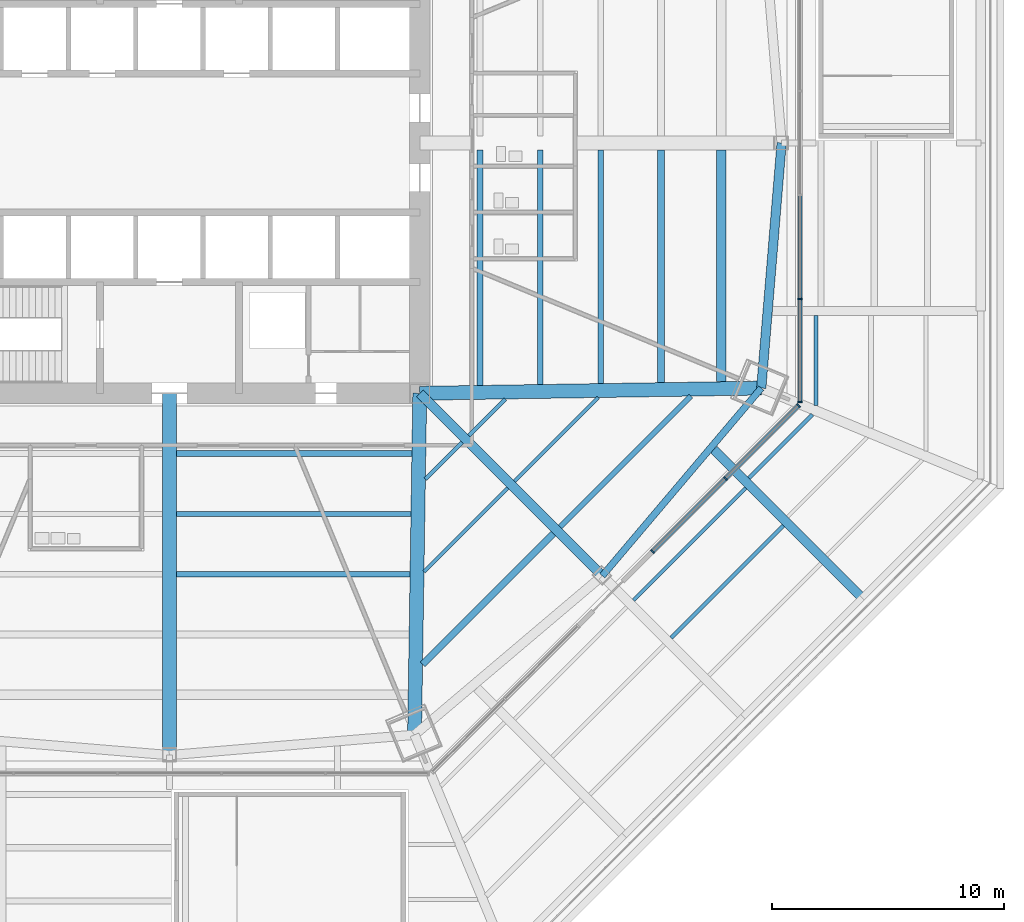
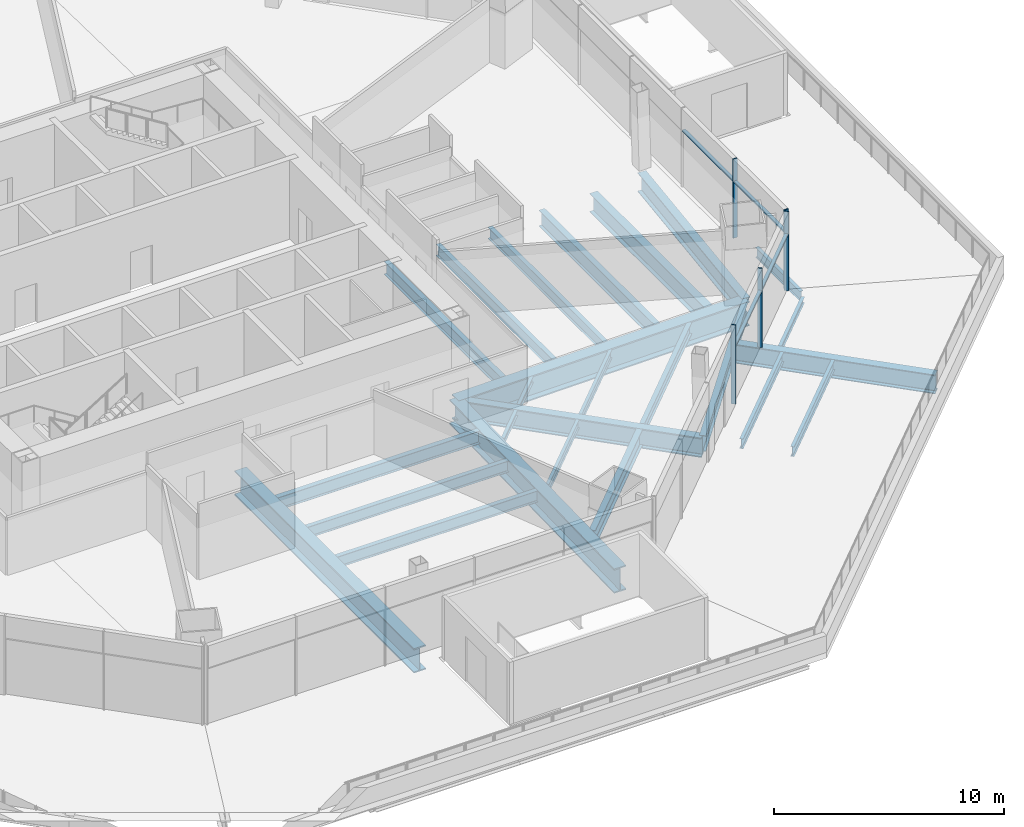
# One storey, part 6 of 25: 25 beams, 9 members, 2 elements without a shape of their own.
"""IFC4 building model written with IfcOpenShell, lengths in metres."""

from ifc_helpers import new_model, si_unit, direction, frame, origin, origin_2d, place, context, subcontext, project, spatial, rectangle, i_section, extrude, source, transform, mapped, material, material_profile, profile_set, type_object, type_shapes, element, aggregate, save


model = new_model("IFC4")

# Units and contexts
model_context = context("Model", 3, precision=1e-05, world=origin(), true_north=direction((0.0, 1.0)))
body_context = subcontext(model_context, "Body", "Model", "MODEL_VIEW")
ifc_project = project(units=[si_unit("LENGTHUNIT", "METRE"), si_unit("AREAUNIT", "SQUARE_METRE"), si_unit("VOLUMEUNIT", "CUBIC_METRE"), si_unit("PLANEANGLEUNIT", "RADIAN"), si_unit("MASSUNIT", "GRAM", prefix="KILO")], contexts=[model_context])

# Site, building, storey
site_placement = place(None, origin())
site = spatial("IfcSite", under=ifc_project, at=site_placement, CompositionType="ELEMENT")
building_placement = place(site_placement, origin())
building = spatial("IfcBuilding", under=site, at=building_placement, Name="Mashrafa Tower", CompositionType="ELEMENT")
storey_placement = place(building_placement, frame((0.0, 0.0, 28.800048828125)))
storey = spatial("IfcBuildingStorey", under=building, at=storey_placement, Name="L05", CompositionType="ELEMENT", Elevation=28.800048828125)

# Beams
ifc_material_1 = material(Name="Steel ASTM A572 Gr 50", Category="steel")
ifc_material_profile_1 = material_profile(ifc_material_1, i_section(OverallWidth=0.60009765625, OverallDepth=1.300048828125, WebThickness=0.028076171875, FlangeThickness=0.06494140625, at=origin_2d()), Name="H1300X600X28X65")
ifc_profile_set_1 = profile_set([ifc_material_profile_1], Name="Steel ASTM A572 Gr 50")
beam_type_1 = type_object("IfcBeamType", Name="Beam H1300X600X28X65", PredefinedType="BEAM", material=ifc_profile_set_1)
beam_1_placement = place(storey_placement, frame((0.0, -10.800048828125, -0.949951171875), z_axis=(0.0, -1.0, 0.0), x_axis=(1.0, 0.0, 0.0)))
element("IfcBeam", 1, at=beam_1_placement, inside=storey, type_object=beam_type_1, Name="Radial girder L05 240", PredefinedType="BEAM", context=body_context, shape_type="SweptSolid", body=[
    extrude(i_section(OverallWidth=0.60009765625, OverallDepth=1.300048828125, WebThickness=0.028076171875, FlangeThickness=0.06494140625, at=origin_2d()), origin(), (0.0, 0.0, 1.0), 15.6083984375),
])
for number, where, z_axis, x_axis, name in (
    (2, (10.800048828125, -10.800048828125, -0.949951171875), (-0.015279561885, -0.99988326068, 0.0), (0.99988326068, -0.015279561885, 0.0), "Radial girder L05 242"),
    (3, (10.800048828125, -10.800048828125, -0.949951171875), (0.99988326068, 0.015279561885, 0.0), (-0.015279561885, 0.99988326068, 0.0), "Radial girder L05 244"),
):
    element("IfcBeam", number, at=place(storey_placement, frame(where, z_axis=z_axis, x_axis=x_axis)), inside=storey, type_object=beam_type_1, Name=name, PredefinedType="BEAM", context=body_context, shape_type="SweptSolid", body=[
        extrude(i_section(OverallWidth=0.60009765625, OverallDepth=1.300048828125, WebThickness=0.028076171875, FlangeThickness=0.06494140625, at=origin_2d()), origin(), (0.0, 0.0, 1.0), 14.73193359375),
    ])
ifc_material_2 = material(Name="Steel ASTM A992", Category="steel")
ifc_material_profile_2 = material_profile(ifc_material_2, i_section(OverallWidth=0.164794921875, OverallDepth=0.309814453125, WebThickness=0.005859375, FlangeThickness=0.009765625, FilletRadius=0.007568359375, at=origin_2d()), Name="W12X26")
ifc_profile_set_2 = profile_set([ifc_material_profile_2], Name="Steel ASTM A992")
beam_type_2 = type_object("IfcBeamType", Name="Beam W12X26", PredefinedType="BEAM", material=ifc_profile_set_2)
for number, where, z_axis, x_axis, name in (
    (4, (12.623779296875, -12.9130859375, -0.455078125), (-0.707106781187, -0.707106781187, 0.0), (0.707106781187, -0.707106781187, 0.0), "Floor beam L05 095"),
    (5, (14.4931640625, -11.043701171875, -0.455078125), (-0.707106781187, -0.707106781187, 0.0), (0.707106781187, -0.707106781187, 0.0), "Floor beam L05 105"),
):
    element("IfcBeam", number, at=place(storey_placement, frame(where, z_axis=z_axis, x_axis=x_axis)), inside=storey, type_object=beam_type_2, Name=name, PredefinedType="BEAM", context=body_context, shape_type="SweptSolid", body=[
        extrude(i_section(OverallWidth=0.164794921875, OverallDepth=0.309814453125, WebThickness=0.005859375, FlangeThickness=0.009765625, FilletRadius=0.007568359375, at=origin_2d()), origin(), (0.0, 0.0, 1.0), 2.234619140625),
    ])
beam_2_placement = place(storey_placement, frame((27.7353515625, -11.718017578125, -0.455078125), z_axis=(-0.707138270433, -0.707075290537, 0.0), x_axis=(0.707075290537, -0.707138270433, 0.0)))
element("IfcBeam", 6, at=beam_2_placement, inside=storey, type_object=beam_type_2, Name="Floor beam L05 132", PredefinedType="BEAM", context=body_context, shape_type="SweptSolid", body=[
    extrude(i_section(OverallWidth=0.164794921875, OverallDepth=0.309814453125, WebThickness=0.005859375, FlangeThickness=0.009765625, FilletRadius=0.007568359375, at=origin_2d()), origin(), (0.0, 0.0, 1.0), 3.87646484375),
])
ifc_material_3 = material(Name="Steel ASTM A992", Category="steel")
ifc_material_profile_3 = material_profile(ifc_material_3, i_section(OverallWidth=0.15234375, OverallDepth=0.449462890625, WebThickness=0.007568359375, FlangeThickness=0.0107421875, FilletRadius=0.01025390625, at=origin_2d()), Name="W18X35")
ifc_profile_set_3 = profile_set([ifc_material_profile_3], Name="Steel ASTM A992")
beam_type_3 = type_object("IfcBeamType", Name="Beam W18X35", PredefinedType="BEAM", material=ifc_profile_set_3)
for number, where, z_axis, x_axis, name in (
    (7, (14.59228515625, -14.88134765625, -0.52490234375), (-0.707106781187, -0.707106781187, 0.0), (0.707106781187, -0.707106781187, 0.0), "Floor beam L05 102"),
    (8, (18.490966796875, -10.982666015625, -0.52490234375), (-0.707106781187, -0.707106781187, 0.0), (0.707106781187, -0.707106781187, 0.0), "Floor beam L05 116"),
):
    element("IfcBeam", number, at=place(storey_placement, frame(where, z_axis=z_axis, x_axis=x_axis)), inside=storey, type_object=beam_type_3, Name=name, PredefinedType="BEAM", context=body_context, shape_type="SweptSolid", body=[
        extrude(i_section(OverallWidth=0.15234375, OverallDepth=0.449462890625, WebThickness=0.007568359375, FlangeThickness=0.0107421875, FilletRadius=0.01025390625, at=origin_2d()), origin(), (0.0, 0.0, 1.0), 5.104736328125),
    ])
ifc_material_4 = material(Name="Steel ASTM A992", Category="steel")
ifc_material_profile_4 = material_profile(ifc_material_4, i_section(OverallWidth=0.165771484375, OverallDepth=0.5283203125, WebThickness=0.009765625, FlangeThickness=0.013671875, FilletRadius=0.012939453125, at=origin_2d()), Name="W21X50")
ifc_profile_set_4 = profile_set([ifc_material_profile_4], Name="Steel ASTM A992")
beam_type_4 = type_object("IfcBeamType", Name="Beam W21X50", PredefinedType="BEAM", material=ifc_profile_set_4)
for number, where, z_axis, x_axis, name in (
    (9, (24.85693359375, -14.889404296875, -0.564208984375), (-0.707106781187, -0.707106781187, 0.0), (0.707106781187, -0.707106781187, 0.0), "Floor beam L05 129"),
    (10, (26.482177734375, -16.5146484375, -0.564208984375), (-0.707124607932, -0.707088953991, 0.0), (0.707088953991, -0.707124607932, 0.0), "Floor beam L05 131"),
):
    element("IfcBeam", number, at=place(storey_placement, frame(where, z_axis=z_axis, x_axis=x_axis)), inside=storey, type_object=beam_type_4, Name=name, PredefinedType="BEAM", context=body_context, shape_type="SweptSolid", body=[
        extrude(i_section(OverallWidth=0.165771484375, OverallDepth=0.5283203125, WebThickness=0.009765625, FlangeThickness=0.013671875, FilletRadius=0.012939453125, at=origin_2d()), origin(), (0.0, 0.0, 1.0), 6.847412109375),
    ])
beam_3_placement = place(storey_placement, frame((27.897705078125, -7.449462890625, -0.564208984375), z_axis=(0.0, -1.0, 0.0), x_axis=(1.0, 0.0, 0.0)))
element("IfcBeam", 11, at=beam_3_placement, inside=storey, type_object=beam_type_4, Name="Floor beam L05 133", PredefinedType="BEAM", context=body_context, shape_type="SweptSolid", body=[
    extrude(i_section(OverallWidth=0.165771484375, OverallDepth=0.5283203125, WebThickness=0.009765625, FlangeThickness=0.013671875, FilletRadius=0.012939453125, at=origin_2d()), origin(), (0.0, 0.0, 1.0), 3.87646484375),
])
ifc_material_5 = material(Name="Steel ASTM A992", Category="steel")
ifc_material_profile_5 = material_profile(ifc_material_5, i_section(OverallWidth=0.227783203125, OverallDepth=0.60205078125, WebThickness=0.010498046875, FlangeThickness=0.014892578125, FilletRadius=0.012939453125, at=origin_2d()), Name="W24X68")
ifc_profile_set_5 = profile_set([ifc_material_profile_5], Name="Steel ASTM A992")
beam_type_5 = type_object("IfcBeamType", Name="Beam W24X68", PredefinedType="BEAM", material=ifc_profile_set_5)
beam_4_placement = place(storey_placement, frame((10.380859375, -18.604248046875, -0.60107421875), z_axis=(-1.0, 0.0, 0.0), x_axis=(0.0, -1.0, 0.0)))
element("IfcBeam", 12, at=beam_4_placement, inside=storey, type_object=beam_type_5, Name="Floor beam L05 088", PredefinedType="BEAM", context=body_context, shape_type="SweptSolid", body=[
    extrude(i_section(OverallWidth=0.227783203125, OverallDepth=0.60205078125, WebThickness=0.010498046875, FlangeThickness=0.014892578125, FilletRadius=0.012939453125, at=origin_2d()), origin(), (0.0, 0.0, 1.0), 10.080810546875),
])
for number, where, z_axis, x_axis, name in (
    (13, (10.42041015625, -16.002685546875, -0.60107421875), (-1.0, 0.0, 0.0), (0.0, -1.0, 0.0), "Floor beam L05 089"),
    (14, (16.002685546875, -0.300048828125, -0.60107421875), (0.0, -1.0, 0.0), (1.0, 0.0, 0.0), "Floor beam L05 106"),
):
    element("IfcBeam", number, at=place(storey_placement, frame(where, z_axis=z_axis, x_axis=x_axis)), inside=storey, type_object=beam_type_5, Name=name, PredefinedType="BEAM", context=body_context, shape_type="SweptSolid", body=[
        extrude(i_section(OverallWidth=0.227783203125, OverallDepth=0.60205078125, WebThickness=0.010498046875, FlangeThickness=0.014892578125, FilletRadius=0.012939453125, at=origin_2d()), origin(), (0.0, 0.0, 1.0), 10.120361328125),
    ])
beam_5_placement = place(storey_placement, frame((18.604248046875, -0.300048828125, -0.60107421875), z_axis=(0.0, -1.0, 0.0), x_axis=(1.0, 0.0, 0.0)))
element("IfcBeam", 15, at=beam_5_placement, inside=storey, type_object=beam_type_5, Name="Floor beam L05 114", PredefinedType="BEAM", context=body_context, shape_type="SweptSolid", body=[
    extrude(i_section(OverallWidth=0.227783203125, OverallDepth=0.60205078125, WebThickness=0.010498046875, FlangeThickness=0.014892578125, FilletRadius=0.012939453125, at=origin_2d()), origin(), (0.0, 0.0, 1.0), 10.080810546875),
])
ifc_material_6 = material(Name="Steel ASTM A992", Category="steel")
ifc_material_profile_6 = material_profile(ifc_material_6, i_section(OverallWidth=0.22900390625, OverallDepth=0.612060546875, WebThickness=0.011962890625, FlangeThickness=0.01953125, FilletRadius=0.0126953125, at=origin_2d()), Name="W24X84")
ifc_profile_set_6 = profile_set([ifc_material_profile_6], Name="Steel ASTM A992")
beam_type_6 = type_object("IfcBeamType", Name="Beam W24X84", PredefinedType="BEAM", material=ifc_profile_set_6)
beam_6_placement = place(storey_placement, frame((22.489013671875, -10.92138671875, -0.606201171875), z_axis=(-0.707106781187, -0.707106781187, 0.0), x_axis=(0.707106781187, -0.707106781187, 0.0)))
element("IfcBeam", 16, at=beam_6_placement, inside=storey, type_object=beam_type_6, Name="Floor beam L05 123", PredefinedType="BEAM", context=body_context, shape_type="SweptSolid", body=[
    extrude(i_section(OverallWidth=0.22900390625, OverallDepth=0.612060546875, WebThickness=0.011962890625, FlangeThickness=0.01953125, FilletRadius=0.0126953125, at=origin_2d()), origin(), (0.0, 0.0, 1.0), 7.97509765625),
])
ifc_material_7 = material(Name="Steel ASTM A992", Category="steel")
ifc_material_profile_7 = material_profile(ifc_material_7, i_section(OverallWidth=0.25390625, OverallDepth=0.67822265625, WebThickness=0.01171875, FlangeThickness=0.016357421875, FilletRadius=0.01513671875, at=origin_2d()), Name="W27X84")
ifc_profile_set_7 = profile_set([ifc_material_profile_7], Name="Steel ASTM A992")
beam_type_7 = type_object("IfcBeamType", Name="Beam W27X84", PredefinedType="BEAM", material=ifc_profile_set_7)
for number, where, z_axis, x_axis, name in (
    (17, (10.460205078125, -13.4013671875, -0.63916015625), (-1.0, 0.0, 0.0), (0.0, -1.0, 0.0), "Floor beam L05 091"),
    (18, (13.4013671875, -0.300048828125, -0.63916015625), (0.0, -1.0, 0.0), (1.0, 0.0, 0.0), "Floor beam L05 097"),
):
    element("IfcBeam", number, at=place(storey_placement, frame(where, z_axis=z_axis, x_axis=x_axis)), inside=storey, type_object=beam_type_7, Name=name, PredefinedType="BEAM", context=body_context, shape_type="SweptSolid", body=[
        extrude(i_section(OverallWidth=0.25390625, OverallDepth=0.67822265625, WebThickness=0.01171875, FlangeThickness=0.016357421875, FilletRadius=0.01513671875, at=origin_2d()), origin(), (0.0, 0.0, 1.0), 10.16015625),
    ])
ifc_material_8 = material(Name="Steel ASTM A992", Category="steel")
ifc_material_profile_8 = material_profile(ifc_material_8, i_section(OverallWidth=0.2919921875, OverallDepth=0.8408203125, WebThickness=0.0146484375, FlangeThickness=0.021728515625, FilletRadius=0.017333984375, at=origin_2d()), Name="W33X130")
ifc_profile_set_8 = profile_set([ifc_material_profile_8], Name="Steel ASTM A992")
beam_type_8 = type_object("IfcBeamType", Name="Beam W33X130", PredefinedType="BEAM", material=ifc_profile_set_8)
beam_7_placement = place(storey_placement, frame((18.673583984375, -18.673583984375, -0.720458984375), z_axis=(0.646161895405, 0.763200370104, 0.0), x_axis=(-0.763200370104, 0.646161895405, 0.0)))
element("IfcBeam", 19, at=beam_7_placement, inside=storey, type_object=beam_type_8, Name="Podium ring girder L05 228", PredefinedType="BEAM", context=body_context, shape_type="SweptSolid", body=[
    extrude(i_section(OverallWidth=0.2919921875, OverallDepth=0.8408203125, WebThickness=0.0146484375, FlangeThickness=0.021728515625, FilletRadius=0.017333984375, at=origin_2d()), origin(), (0.0, 0.0, 1.0), 10.611328125),
])
ifc_material_9 = material(Name="Steel ASTM A992", Category="steel")
ifc_material_profile_9 = material_profile(ifc_material_9, i_section(OverallWidth=0.2919921875, OverallDepth=0.845703125, WebThickness=0.015380859375, FlangeThickness=0.0244140625, FilletRadius=0.017333984375, at=origin_2d()), Name="W33X141")
ifc_profile_set_9 = profile_set([ifc_material_profile_9], Name="Steel ASTM A992")
beam_type_9 = type_object("IfcBeamType", Name="Beam W33X141", PredefinedType="BEAM", material=ifc_profile_set_9)
beam_8_placement = place(storey_placement, frame((21.205810546875, -0.300048828125, -0.722900390625), z_axis=(0.0, -1.0, 0.0), x_axis=(1.0, 0.0, 0.0)))
element("IfcBeam", 20, at=beam_8_placement, inside=storey, type_object=beam_type_9, Name="Floor beam L05 119", PredefinedType="BEAM", context=body_context, shape_type="SweptSolid", body=[
    extrude(i_section(OverallWidth=0.2919921875, OverallDepth=0.845703125, WebThickness=0.015380859375, FlangeThickness=0.0244140625, FilletRadius=0.017333984375, at=origin_2d()), origin(), (0.0, 0.0, 1.0), 10.041015625),
])
ifc_material_10 = material(Name="Steel ASTM A992", Category="steel")
ifc_material_profile_10 = material_profile(ifc_material_10, i_section(OverallWidth=0.2919921875, OverallDepth=0.8583984375, WebThickness=0.01708984375, FlangeThickness=0.031005859375, FilletRadius=0.017822265625, at=origin_2d()), Name="W33X169")
ifc_profile_set_10 = profile_set([ifc_material_profile_10], Name="Steel ASTM A992")
beam_type_10 = type_object("IfcBeamType", Name="Beam W33X169", PredefinedType="BEAM", material=ifc_profile_set_10)
beam_9_placement = place(storey_placement, frame((16.560546875, -16.849853515625, -0.729248046875), z_axis=(-0.707106781187, -0.707106781187, 0.0), x_axis=(0.707106781187, -0.707106781187, 0.0)))
element("IfcBeam", 21, at=beam_9_placement, inside=storey, type_object=beam_type_10, Name="Floor beam L05 110", PredefinedType="BEAM", context=body_context, shape_type="SweptSolid", body=[
    extrude(i_section(OverallWidth=0.2919921875, OverallDepth=0.8583984375, WebThickness=0.01708984375, FlangeThickness=0.031005859375, FilletRadius=0.017822265625, at=origin_2d()), origin(), (0.0, 0.0, 1.0), 7.97509765625),
])
ifc_material_11 = material(Name="Steel ASTM A992", Category="steel")
ifc_material_profile_11 = material_profile(ifc_material_11, i_section(OverallWidth=0.4013671875, OverallDepth=0.98291015625, WebThickness=0.0166015625, FlangeThickness=0.027099609375, FilletRadius=0.0126953125, at=origin_2d()), Name="W40X199")
ifc_profile_set_11 = profile_set([ifc_material_profile_11], Name="Steel ASTM A992")
beam_type_11 = type_object("IfcBeamType", Name="Beam W40X199", PredefinedType="BEAM", material=ifc_profile_set_11)
beam_10_placement = place(storey_placement, frame((23.80712890625, -0.300048828125, -0.79150390625), z_axis=(0.0, -1.0, 0.0), x_axis=(1.0, 0.0, 0.0)))
element("IfcBeam", 22, at=beam_10_placement, inside=storey, type_object=beam_type_11, Name="Floor beam L05 126", PredefinedType="BEAM", context=body_context, shape_type="SweptSolid", body=[
    extrude(i_section(OverallWidth=0.4013671875, OverallDepth=0.98291015625, WebThickness=0.0166015625, FlangeThickness=0.027099609375, FilletRadius=0.0126953125, at=origin_2d()), origin(), (0.0, 0.0, 1.0), 10.001220703125),
])
ifc_material_12 = material(Name="Steel ASTM A992", Category="steel")
ifc_material_profile_12 = material_profile(ifc_material_12, i_section(OverallWidth=0.4013671875, OverallDepth=1.010986328125, WebThickness=0.023681640625, FlangeThickness=0.0419921875, FilletRadius=0.02001953125, at=origin_2d()), Name="W40X297")
ifc_profile_set_12 = profile_set([ifc_material_profile_12], Name="Steel ASTM A992")
beam_type_12 = type_object("IfcBeamType", Name="Beam W40X297", PredefinedType="BEAM", material=ifc_profile_set_12)
beam_11_placement = place(storey_placement, frame((23.477294921875, -13.225830078125, -0.805419921875), z_axis=(0.707106781187, -0.707106781187, 0.0), x_axis=(0.707106781187, 0.707106781187, 0.0)))
element("IfcBeam", 23, at=beam_11_placement, inside=storey, type_object=beam_type_12, Name="Podium radial beam L05 208", PredefinedType="BEAM", context=body_context, shape_type="SweptSolid", body=[
    extrude(i_section(OverallWidth=0.4013671875, OverallDepth=1.010986328125, WebThickness=0.023681640625, FlangeThickness=0.0419921875, FilletRadius=0.02001953125, at=origin_2d()), origin(), (0.0, 0.0, 1.0), 9.047119140625),
])
beam_12_placement = place(storey_placement, frame((25.5302734375, -10.574951171875, -0.805419921875), z_axis=(0.082757962037, 0.996569676299, 0.0), x_axis=(-0.996569676299, 0.082757962037, 0.0)))
element("IfcBeam", 24, at=beam_12_placement, inside=storey, type_object=beam_type_12, Name="Podium ring girder L05 230", PredefinedType="BEAM", context=body_context, shape_type="SweptSolid", body=[
    extrude(i_section(OverallWidth=0.4013671875, OverallDepth=1.010986328125, WebThickness=0.023681640625, FlangeThickness=0.0419921875, FilletRadius=0.02001953125, at=origin_2d()), origin(), (0.0, 0.0, 1.0), 10.611328125),
])
ifc_material_13 = material(Name="Steel ASTM A992", Category="steel")
ifc_material_profile_13 = material_profile(ifc_material_13, i_section(OverallWidth=0.408935546875, OverallDepth=1.04150390625, WebThickness=0.031005859375, FlangeThickness=0.055908203125, FilletRadius=0.020263671875, at=origin_2d()), Name="W40X397")
ifc_profile_set_13 = profile_set([ifc_material_profile_13], Name="Steel ASTM A992")
beam_type_13 = type_object("IfcBeamType", Name="Beam W40X397", PredefinedType="BEAM", material=ifc_profile_set_13)
beam_13_placement = place(storey_placement, frame((10.800048828125, -10.800048828125, -0.82080078125), z_axis=(0.707106781187, -0.707106781187, 0.0), x_axis=(0.707106781187, 0.707106781187, 0.0)))
element("IfcBeam", 25, at=beam_13_placement, inside=storey, type_object=beam_type_13, Name="Radial girder L05 243", PredefinedType="BEAM", context=body_context, shape_type="SweptSolid", body=[
    extrude(i_section(OverallWidth=0.408935546875, OverallDepth=1.04150390625, WebThickness=0.031005859375, FlangeThickness=0.055908203125, FilletRadius=0.020263671875, at=origin_2d()), origin(), (0.0, 0.0, 1.0), 11.134765625),
])

# Curtain wall, members
ifc_material_14 = material(Name="Unitised aluminium curtain wall", Category="aluminium")
curtain_wall_type = type_object("IfcCurtainWallType", Name="Office curtain wall, zone 1 CW-A 200 deep", PredefinedType="NOTDEFINED", material=ifc_material_14)
curtain_wall_1_placement = place(storey_placement, origin())
curtain_wall_1 = element("IfcCurtainWall", 26, at=curtain_wall_1_placement, inside=storey, type_object=curtain_wall_type, Name="Office curtain wall, zone 1 L05 east", PredefinedType="NOTDEFINED")
ifc_material_15 = material(Name="Extruded aluminium mullion", Category="aluminium")
ifc_material_profile_14 = material_profile(ifc_material_15, rectangle(XDim=0.199951171875, YDim=0.06494140625, at=origin_2d()), Name="Mullion 65x200")
ifc_profile_set_14 = profile_set([ifc_material_profile_14], Name="Extruded aluminium mullion")
member_type_1 = type_object("IfcMemberType", Name="Mullion CW-A 65 x 200", PredefinedType="MULLION", material=ifc_profile_set_14)
shared_shape_1 = source(origin(), body_context, "Body", "SweptSolid", [
    extrude(rectangle(XDim=0.199951171875, YDim=0.06494140625, at=origin_2d()), origin(), (0.0, 0.0, 1.0), 4.199951171875),
])
type_shapes(member_type_1, [shared_shape_1])
member_1_placement = place(storey_placement, frame((27.199951171875, -11.1826171875, 0.0), z_axis=(0.0, 0.0, 1.0), x_axis=(-1.0, 0.0, 0.0)))
member_1 = element("IfcMember", 27, at=member_1_placement, type_object=member_type_1, Name="CW-A mullion 1", PredefinedType="MULLION", context=body_context, shape_type="MappedRepresentation", body=[
    mapped(shared_shape_1, transform((0.0, 0.0, 0.0))),
])
member_2_placement = place(storey_placement, frame((27.199951171875, -6.72900390625, 0.0), z_axis=(0.0, 0.0, 1.0), x_axis=(-1.0, 0.0, 0.0)))
member_2 = element("IfcMember", 28, at=member_2_placement, type_object=member_type_1, Name="CW-A mullion 2", PredefinedType="MULLION", context=body_context, shape_type="MappedRepresentation", body=[
    mapped(shared_shape_1, transform((0.0, 0.0, 0.0))),
])

curtain_wall_2_placement = place(storey_placement, origin())
curtain_wall_2 = element("IfcCurtainWall", 29, at=curtain_wall_2_placement, inside=storey, type_object=curtain_wall_type, Name="Office curtain wall, zone 1 L05 south-east part 2", PredefinedType="NOTDEFINED")
member_3_placement = place(storey_placement, frame((20.84228515625, -17.624267578125, 0.0), z_axis=(0.0, 0.0, 1.0), x_axis=(-0.707106781187, 0.707106781187, 0.0)))
member_3 = element("IfcMember", 30, at=member_3_placement, type_object=member_type_1, Name="CW-A mullion 1", PredefinedType="MULLION", context=body_context, shape_type="MappedRepresentation", body=[
    mapped(shared_shape_1, transform((0.0, 0.0, 0.0))),
])
member_4_placement = place(storey_placement, frame((23.991455078125, -14.47509765625, 0.0), z_axis=(0.0, 0.0, 1.0), x_axis=(-0.707106781187, 0.707106781187, 0.0)))
member_4 = element("IfcMember", 31, at=member_4_placement, type_object=member_type_1, Name="CW-A mullion 2", PredefinedType="MULLION", context=body_context, shape_type="MappedRepresentation", body=[
    mapped(shared_shape_1, transform((0.0, 0.0, 0.0))),
])
member_5_placement = place(storey_placement, frame((27.140625, -11.325927734375, 0.0), z_axis=(0.0, 0.0, 1.0), x_axis=(-0.707106781187, 0.707106781187, 0.0)))
member_5 = element("IfcMember", 32, at=member_5_placement, type_object=member_type_1, Name="CW-A mullion 3", PredefinedType="MULLION", context=body_context, shape_type="MappedRepresentation", body=[
    mapped(shared_shape_1, transform((0.0, 0.0, 0.0))),
])

# Member
ifc_material_16 = material(Name="Extruded aluminium transom", Category="aluminium")
ifc_material_profile_15 = material_profile(ifc_material_16, rectangle(XDim=0.159912109375, YDim=0.080078125, at=origin_2d()), Name="Transom 80x160")
ifc_profile_set_15 = profile_set([ifc_material_profile_15], Name="Extruded aluminium transom")
member_type_2 = type_object("IfcMemberType", Name="Transom CW-A 80 x 160", PredefinedType="MULLION", material=ifc_profile_set_15)
shared_shape_2 = source(origin(), body_context, "Body", "SweptSolid", [
    extrude(rectangle(XDim=0.159912109375, YDim=0.080078125, at=origin_2d()), origin(), (0.0, 0.0, 1.0), 4.388427734375),
])
member_6_placement = place(storey_placement, frame((27.199951171875, -11.150146484375, 3.0), z_axis=(0.0, 1.0, 0.0), x_axis=(-1.0, 0.0, 0.0)))
member_6 = element("IfcMember", 33, at=member_6_placement, type_object=member_type_2, Name="CW-A transom 1", PredefinedType="MULLION", context=body_context, shape_type="MappedRepresentation", body=[
    mapped(shared_shape_2, transform((0.0, 0.0, 0.0))),
])

shared_shape_3 = source(origin(), body_context, "Body", "SweptSolid", [
    extrude(rectangle(XDim=0.159912109375, YDim=0.080078125, at=origin_2d()), origin(), (0.0, 0.0, 1.0), 4.4208984375),
])
member_7_placement = place(storey_placement, frame((27.199951171875, -6.696533203125, 3.0), z_axis=(0.0, 1.0, 0.0), x_axis=(-1.0, 0.0, 0.0)))
member_7 = element("IfcMember", 34, at=member_7_placement, type_object=member_type_2, Name="CW-A transom 2", PredefinedType="MULLION", context=body_context, shape_type="MappedRepresentation", body=[
    mapped(shared_shape_3, transform((0.0, 0.0, 0.0))),
])

aggregate(curtain_wall_1, [member_1, member_2, member_6, member_7])

shared_shape_4 = source(origin(), body_context, "Body", "SweptSolid", [
    extrude(rectangle(XDim=0.159912109375, YDim=0.080078125, at=origin_2d()), origin(), (0.0, 0.0, 1.0), 4.388671875),
])
type_shapes(member_type_2, [shared_shape_2, shared_shape_3, shared_shape_4])
member_8_placement = place(storey_placement, frame((20.865234375, -17.601318359375, 3.0), z_axis=(0.707106781187, 0.707106781187, 0.0), x_axis=(-0.707106781187, 0.707106781187, 0.0)))
member_8 = element("IfcMember", 35, at=member_8_placement, type_object=member_type_2, Name="CW-A transom 1", PredefinedType="MULLION", context=body_context, shape_type="MappedRepresentation", body=[
    mapped(shared_shape_4, transform((0.0, 0.0, 0.0))),
])

member_9_placement = place(storey_placement, frame((24.014404296875, -14.4521484375, 3.0), z_axis=(0.707106781187, 0.707106781187, 0.0), x_axis=(-0.707106781187, 0.707106781187, 0.0)))
member_9 = element("IfcMember", 36, at=member_9_placement, type_object=member_type_2, Name="CW-A transom 2", PredefinedType="MULLION", context=body_context, shape_type="MappedRepresentation", body=[
    mapped(shared_shape_4, transform((0.0, 0.0, 0.0))),
])

aggregate(curtain_wall_2, [member_3, member_4, member_5, member_8, member_9])

save(model, "model.ifc")
